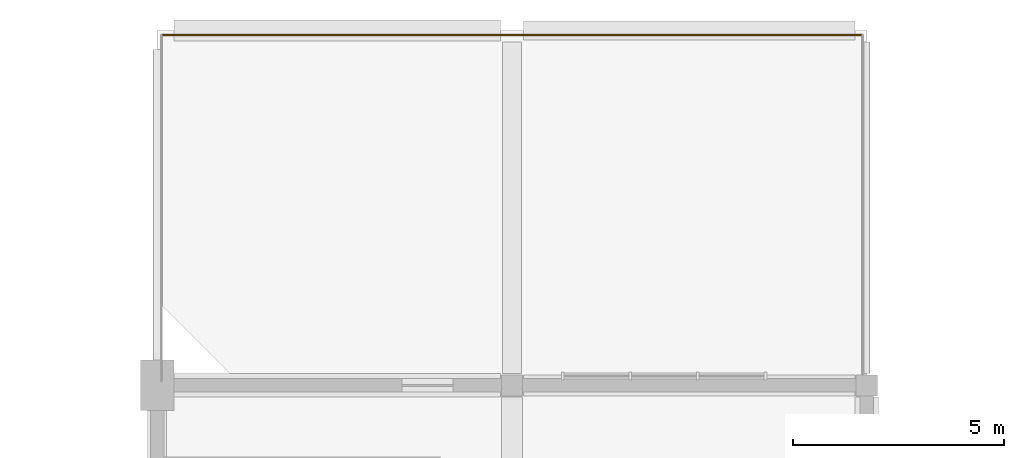
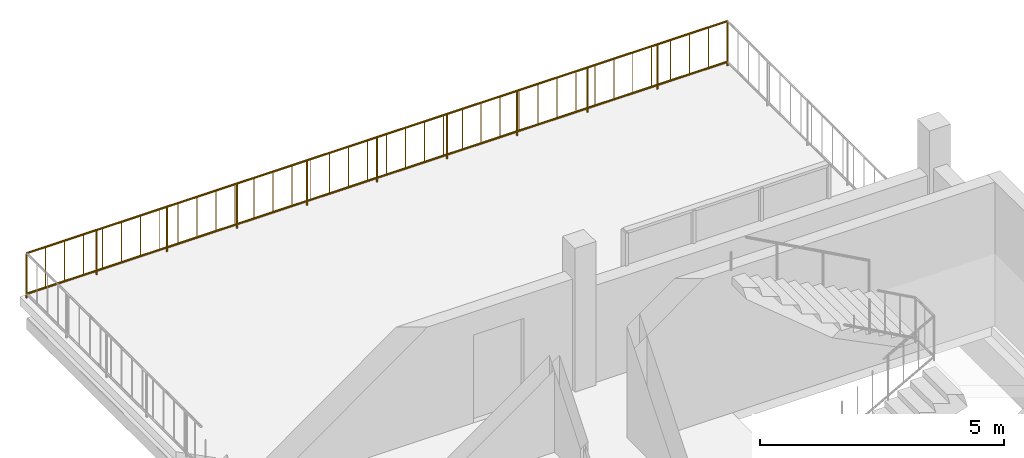
# One storey, part 20 of 20: 1 railing.
"""IFC4 building model written with IfcOpenShell, lengths in metres."""

from ifc_helpers import new_model, si_unit, derived_unit, direction, frame, origin, origin_2d, place, context, subcontext, project, spatial, circle, extrude, material, layer, layer_set, type_object, element, save


model = new_model("IFC4")

# Units and contexts
model_context = context("Model", 3, precision=1e-05, world=origin(), true_north=direction((0.0, 1.0)))
body_context = subcontext(model_context, "Body", "Model", "MODEL_VIEW")
ifc_project = project(units=[si_unit("LENGTHUNIT", "METRE"), si_unit("AREAUNIT", "SQUARE_METRE"), si_unit("VOLUMEUNIT", "CUBIC_METRE"), si_unit("PLANEANGLEUNIT", "RADIAN"), si_unit("MASSUNIT", "GRAM", prefix="KILO"), derived_unit("THERMALTRANSMITTANCEUNIT", [(si_unit("POWERUNIT", "WATT"), 1), (si_unit("LENGTHUNIT", "METRE"), -2), (si_unit("THERMODYNAMICTEMPERATUREUNIT", "KELVIN"), -1)])], contexts=[model_context])

# Site, building, storey
site_placement = place(None, origin())
site = spatial("IfcSite", under=ifc_project, at=site_placement, CompositionType="ELEMENT")
building_placement = place(site_placement, origin())
building = spatial("IfcBuilding", under=site, at=building_placement, Name="Barrovel Congress Hotel", CompositionType="ELEMENT")
storey_placement = place(building_placement, frame((0.0, 0.0, 39.89990234375)))
storey = spatial("IfcBuildingStorey", under=building, at=storey_placement, Name="L10", CompositionType="ELEMENT", Elevation=39.89990234375)

# Railing
ifc_material = material(Name="Painted Architectural Steel", Category="steel")
ifc_layer = layer(ifc_material, 0.080078125)
ifc_layer_set = layer_set([ifc_layer], Name="Painted Architectural Steel")
railing_type = type_object("IfcRailingType", Name="RAIL-GUARD-EXT", PredefinedType="BALUSTRADE", material=ifc_layer_set)
railing_placement = place(storey_placement, frame((50.300048828125, 71.300048828125, 0.0)))
element("IfcRailing", 1, at=railing_placement, inside=storey, type_object=railing_type, Name="L10 North Terrace Guardrail 2", PredefinedType="BALUSTRADE", context=body_context, shape_type="SweptSolid", body=[
    extrude(circle(Radius=0.02392578125, at=origin_2d()), frame((0.0, 0.0, 1.11572265625), z_axis=(-1.0, 0.0, 0.0), x_axis=(0.0, -1.0, 0.0)), (0.0, 0.0, 1.0), 16.60009765625),
    extrude(circle(Radius=0.02392578125, at=origin_2d()), frame((0.0, 0.0, 0.10009765625), z_axis=(-1.0, 0.0, 0.0), x_axis=(0.0, -1.0, 0.0)), (0.0, 0.0, 1.0), 16.60009765625),
    extrude(circle(Radius=0.010009765625, at=origin_2d()), frame((-0.44873046875, 0.0, 0.10009765625)), (0.0, 0.0, 1.0), 0.99169921875),
    extrude(circle(Radius=0.010009765625, at=origin_2d()), frame((-0.897216796875, 0.0, 0.10009765625)), (0.0, 0.0, 1.0), 0.99169921875),
    extrude(circle(Radius=0.010009765625, at=origin_2d()), frame((-1.345947265625, 0.0, 0.10009765625)), (0.0, 0.0, 1.0), 0.99169921875),
    extrude(circle(Radius=0.010009765625, at=origin_2d()), frame((-1.794677734375, 0.0, 0.10009765625)), (0.0, 0.0, 1.0), 0.99169921875),
    extrude(circle(Radius=0.010009765625, at=origin_2d()), frame((-2.2431640625, 0.0, 0.10009765625)), (0.0, 0.0, 1.0), 0.99169921875),
    extrude(circle(Radius=0.010009765625, at=origin_2d()), frame((-2.69189453125, 0.0, 0.10009765625)), (0.0, 0.0, 1.0), 0.99169921875),
    extrude(circle(Radius=0.010009765625, at=origin_2d()), frame((-3.140625, 0.0, 0.10009765625)), (0.0, 0.0, 1.0), 0.99169921875),
    extrude(circle(Radius=0.010009765625, at=origin_2d()), frame((-3.589111328125, 0.0, 0.10009765625)), (0.0, 0.0, 1.0), 0.99169921875),
    extrude(circle(Radius=0.010009765625, at=origin_2d()), frame((-4.037841796875, 0.0, 0.10009765625)), (0.0, 0.0, 1.0), 0.99169921875),
    extrude(circle(Radius=0.010009765625, at=origin_2d()), frame((-4.486572265625, 0.0, 0.10009765625)), (0.0, 0.0, 1.0), 0.99169921875),
    extrude(circle(Radius=0.010009765625, at=origin_2d()), frame((-4.93505859375, 0.0, 0.10009765625)), (0.0, 0.0, 1.0), 0.99169921875),
    extrude(circle(Radius=0.010009765625, at=origin_2d()), frame((-5.3837890625, 0.0, 0.10009765625)), (0.0, 0.0, 1.0), 0.99169921875),
    extrude(circle(Radius=0.010009765625, at=origin_2d()), frame((-5.83251953125, 0.0, 0.10009765625)), (0.0, 0.0, 1.0), 0.99169921875),
    extrude(circle(Radius=0.010009765625, at=origin_2d()), frame((-6.281005859375, 0.0, 0.10009765625)), (0.0, 0.0, 1.0), 0.99169921875),
    extrude(circle(Radius=0.010009765625, at=origin_2d()), frame((-6.729736328125, 0.0, 0.10009765625)), (0.0, 0.0, 1.0), 0.99169921875),
    extrude(circle(Radius=0.010009765625, at=origin_2d()), frame((-7.178466796875, 0.0, 0.10009765625)), (0.0, 0.0, 1.0), 0.99169921875),
    extrude(circle(Radius=0.010009765625, at=origin_2d()), frame((-7.626953125, 0.0, 0.10009765625)), (0.0, 0.0, 1.0), 0.99169921875),
    extrude(circle(Radius=0.010009765625, at=origin_2d()), frame((-8.07568359375, 0.0, 0.10009765625)), (0.0, 0.0, 1.0), 0.99169921875),
    extrude(circle(Radius=0.010009765625, at=origin_2d()), frame((-8.5244140625, 0.0, 0.10009765625)), (0.0, 0.0, 1.0), 0.99169921875),
    extrude(circle(Radius=0.010009765625, at=origin_2d()), frame((-8.97314453125, 0.0, 0.10009765625)), (0.0, 0.0, 1.0), 0.99169921875),
    extrude(circle(Radius=0.010009765625, at=origin_2d()), frame((-9.421630859375, 0.0, 0.10009765625)), (0.0, 0.0, 1.0), 0.99169921875),
    extrude(circle(Radius=0.010009765625, at=origin_2d()), frame((-9.870361328125, 0.0, 0.10009765625)), (0.0, 0.0, 1.0), 0.99169921875),
    extrude(circle(Radius=0.010009765625, at=origin_2d()), frame((-10.319091796875, 0.0, 0.10009765625)), (0.0, 0.0, 1.0), 0.99169921875),
    extrude(circle(Radius=0.010009765625, at=origin_2d()), frame((-10.767578125, 0.0, 0.10009765625)), (0.0, 0.0, 1.0), 0.99169921875),
    extrude(circle(Radius=0.010009765625, at=origin_2d()), frame((-11.21630859375, 0.0, 0.10009765625)), (0.0, 0.0, 1.0), 0.99169921875),
    extrude(circle(Radius=0.010009765625, at=origin_2d()), frame((-11.6650390625, 0.0, 0.10009765625)), (0.0, 0.0, 1.0), 0.99169921875),
    extrude(circle(Radius=0.010009765625, at=origin_2d()), frame((-12.113525390625, 0.0, 0.10009765625)), (0.0, 0.0, 1.0), 0.99169921875),
    extrude(circle(Radius=0.010009765625, at=origin_2d()), frame((-12.562255859375, 0.0, 0.10009765625)), (0.0, 0.0, 1.0), 0.99169921875),
    extrude(circle(Radius=0.010009765625, at=origin_2d()), frame((-13.010986328125, 0.0, 0.10009765625)), (0.0, 0.0, 1.0), 0.99169921875),
    extrude(circle(Radius=0.010009765625, at=origin_2d()), frame((-13.45947265625, 0.0, 0.10009765625)), (0.0, 0.0, 1.0), 0.99169921875),
    extrude(circle(Radius=0.010009765625, at=origin_2d()), frame((-13.908203125, 0.0, 0.10009765625)), (0.0, 0.0, 1.0), 0.99169921875),
    extrude(circle(Radius=0.010009765625, at=origin_2d()), frame((-14.35693359375, 0.0, 0.10009765625)), (0.0, 0.0, 1.0), 0.99169921875),
    extrude(circle(Radius=0.010009765625, at=origin_2d()), frame((-14.805419921875, 0.0, 0.10009765625)), (0.0, 0.0, 1.0), 0.99169921875),
    extrude(circle(Radius=0.010009765625, at=origin_2d()), frame((-15.254150390625, 0.0, 0.10009765625)), (0.0, 0.0, 1.0), 0.99169921875),
    extrude(circle(Radius=0.010009765625, at=origin_2d()), frame((-15.702880859375, 0.0, 0.10009765625)), (0.0, 0.0, 1.0), 0.99169921875),
    extrude(circle(Radius=0.010009765625, at=origin_2d()), frame((-16.1513671875, 0.0, 0.10009765625)), (0.0, 0.0, 1.0), 0.99169921875),
    extrude(circle(Radius=0.02099609375, at=origin_2d()), origin(), (0.0, 0.0, 1.0), 1.091796875),
    extrude(circle(Radius=0.02099609375, at=origin_2d()), frame((-1.659912109375, 0.0, 0.0)), (0.0, 0.0, 1.0), 1.091796875),
    extrude(circle(Radius=0.02099609375, at=origin_2d()), frame((-3.320068359375, 0.0, 0.0)), (0.0, 0.0, 1.0), 1.091796875),
    extrude(circle(Radius=0.02099609375, at=origin_2d()), frame((-4.97998046875, 0.0, 0.0)), (0.0, 0.0, 1.0), 1.091796875),
    extrude(circle(Radius=0.02099609375, at=origin_2d()), frame((-6.64013671875, 0.0, 0.0)), (0.0, 0.0, 1.0), 1.091796875),
    extrude(circle(Radius=0.02099609375, at=origin_2d()), frame((-8.300048828125, 0.0, 0.0)), (0.0, 0.0, 1.0), 1.091796875),
    extrude(circle(Radius=0.02099609375, at=origin_2d()), frame((-9.9599609375, 0.0, 0.0)), (0.0, 0.0, 1.0), 1.091796875),
    extrude(circle(Radius=0.02099609375, at=origin_2d()), frame((-11.6201171875, 0.0, 0.0)), (0.0, 0.0, 1.0), 1.091796875),
    extrude(circle(Radius=0.02099609375, at=origin_2d()), frame((-13.280029296875, 0.0, 0.0)), (0.0, 0.0, 1.0), 1.091796875),
    extrude(circle(Radius=0.02099609375, at=origin_2d()), frame((-14.940185546875, 0.0, 0.0)), (0.0, 0.0, 1.0), 1.091796875),
    extrude(circle(Radius=0.02099609375, at=origin_2d()), frame((-16.60009765625, 0.0, 0.0)), (0.0, 0.0, 1.0), 1.091796875),
])

save(model, "model.ifc")
